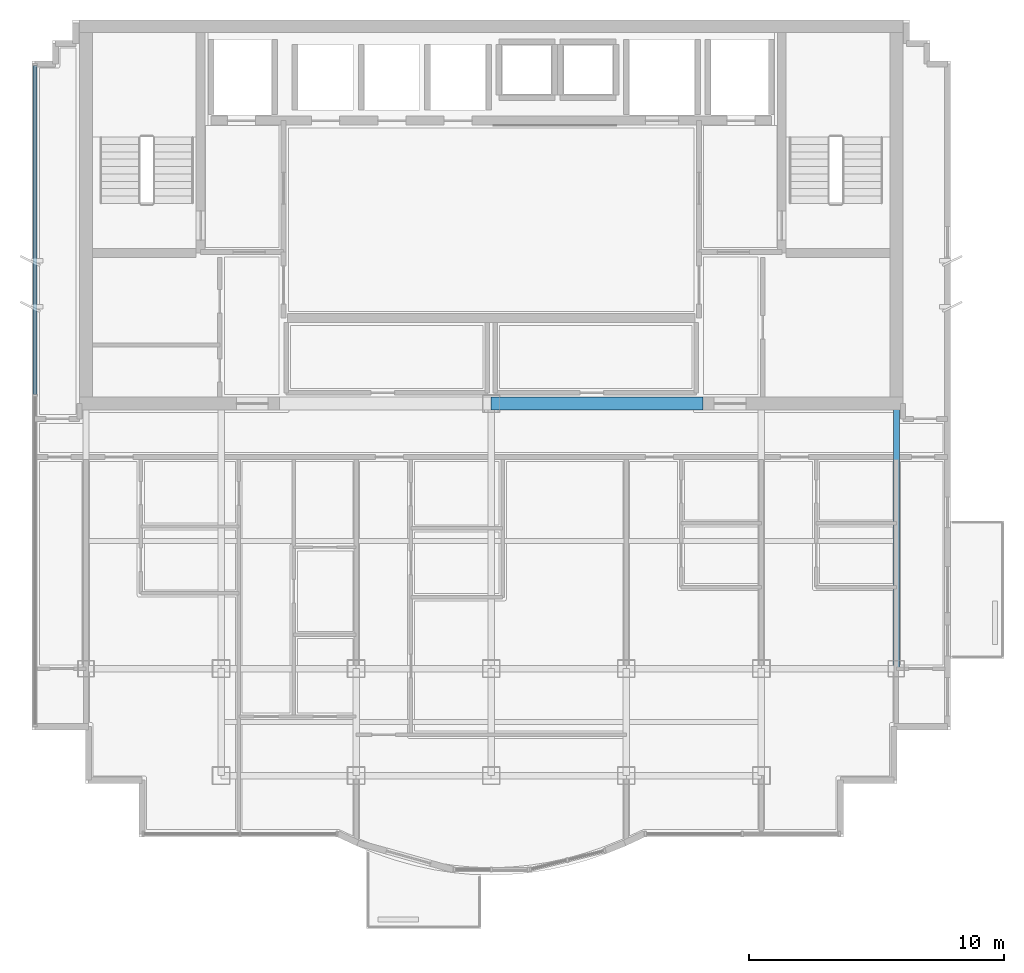
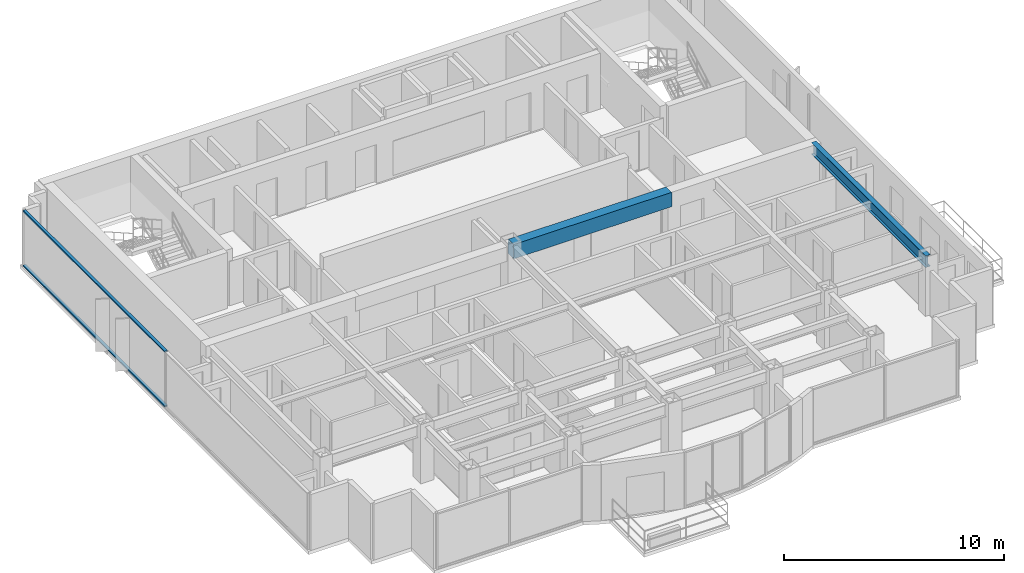
# One storey, part 2 of 9: 2 beams, 2 members, 1 element without a shape of its own.
"""IFC4 building model written with IfcOpenShell, lengths in metres."""

import ifcopenshell
import ifcopenshell.guid

model = None  # the IFC model being written
_history = None  # IfcOwnerHistory: only IFC2X3 demands one
_inside = {}  # id of a spatial element -> (the spatial element, [elements in it])
_under = {}  # id of a project, library or spatial element -> (it, [spatial elements below it])
_declared = {}  # id of a project -> (the project, [libraries it declares])
_typed = {}  # id of a type object -> (the type object, [elements of that type])
_made_of = {}  # id of a material, layer set ... -> (it, [elements and type objects made of it])


def new_model(schema):
    """Start an empty IFC model of exactly this schema.

    Asked for "IFC4X3", IfcOpenShell would pick the latest addendum, in which some entities
    have other attributes; the version numbers below select the first issue.
    IFC2X3 requires an IfcOwnerHistory on every rooted entity: one is made here for all.
    """
    global model, _history
    if schema == "IFC4X3":
        model = ifcopenshell.file(schema_version=(4, 3, 0, 0))
    else:
        model = ifcopenshell.file(schema=schema)
    _inside.clear()
    _under.clear()
    _declared.clear()
    _typed.clear()
    _made_of.clear()
    _history = None
    if model.schema == "IFC2X3":
        org = make("IfcOrganization", Name="unknown")
        user = make(
            "IfcPersonAndOrganization",
            ThePerson=make("IfcPerson", FamilyName="unknown"),
            TheOrganization=org,
        )
        app = make(
            "IfcApplication",
            ApplicationDeveloper=org,
            Version="unknown",
            ApplicationFullName="unknown",
            ApplicationIdentifier="unknown",
        )
        _history = make(
            "IfcOwnerHistory",
            OwningUser=user,
            OwningApplication=app,
            ChangeAction="ADDED",
            CreationDate=0,
        )
    return model


def make(cls, **values):
    """One entity of the class cls with the attributes given. An attribute that is None is left unset."""
    return model.create_entity(
        cls, **{name: value for name, value in values.items() if value is not None}
    )


def rooted(cls, **values):
    """An entity with a GlobalId (a new one), such as an element, a storey or a relation."""
    return make(cls, GlobalId=ifcopenshell.guid.new(), OwnerHistory=_history, **values)


def si_unit(unit_type, name, prefix=None):
    """IfcSIUnit, for example si_unit("LENGTHUNIT", "METRE", prefix="MILLI")."""
    return make("IfcSIUnit", UnitType=unit_type, Prefix=prefix, Name=name)


def assignment(units):
    """IfcUnitAssignment: the units of a project."""
    return None if units is None else make("IfcUnitAssignment", Units=units)


def point(xyz):
    """IfcCartesianPoint."""
    return None if xyz is None else make("IfcCartesianPoint", Coordinates=xyz)


def direction(xyz):
    """IfcDirection."""
    return None if xyz is None else make("IfcDirection", DirectionRatios=xyz)


def frame(location, z_axis=None, x_axis=None):
    """IfcAxis2Placement3D, a coordinate frame: its origin and axes. An axis left out is left unset."""
    return make(
        "IfcAxis2Placement3D",
        Location=point(location),
        Axis=direction(z_axis),
        RefDirection=direction(x_axis),
    )


def frame_2d(location, x_axis=None):
    """IfcAxis2Placement2D, a coordinate frame in the plane: its origin and x axis."""
    return make(
        "IfcAxis2Placement2D", Location=point(location), RefDirection=direction(x_axis)
    )


def origin():
    """The frame at (0, 0, 0) with its axes left unset."""
    return frame((0.0, 0.0, 0.0))


def origin_2d():
    """The frame at (0, 0) in the plane with its x axis left unset."""
    return frame_2d((0.0, 0.0))


def place(relative_to, where):
    """IfcLocalPlacement: puts the frame where relative to a parent placement (None: the world)."""
    return make(
        "IfcLocalPlacement", PlacementRelTo=relative_to, RelativePlacement=where
    )


def context(
    kind, dimensions, precision=None, world=None, true_north=None, identifier=None
):
    """IfcGeometricRepresentationContext, for example the 3D "Model" context."""
    return make(
        "IfcGeometricRepresentationContext",
        ContextIdentifier=identifier,
        ContextType=kind,
        CoordinateSpaceDimension=dimensions,
        Precision=precision,
        WorldCoordinateSystem=world,
        TrueNorth=true_north,
    )


def subcontext(parent, identifier, kind, view, scale=None):
    """IfcGeometricRepresentationSubContext, for example "Body" below "Model"."""
    return make(
        "IfcGeometricRepresentationSubContext",
        ContextIdentifier=identifier,
        ContextType=kind,
        ParentContext=parent,
        TargetScale=scale,
        TargetView=view,
    )


def project(units=None, contexts=None):
    """IfcProject with its units and contexts."""
    return rooted(
        "IfcProject",
        Name="project",
        RepresentationContexts=contexts,
        UnitsInContext=assignment(units),
    )


def spatial(cls, under=None, at=None, **own):
    """A site, building, storey or space (cls), placed at a placement, below another one or the project."""
    s = rooted(cls, ObjectPlacement=at, **own)
    if under is not None:
        _under.setdefault(under.id(), (under, []))[1].append(s)
    return s


def profile(cls, at=None, kind="AREA", **sizes):
    """A parametric profile (cls). Its sizes go by their IFC names, for example OverallWidth=200.0."""
    return make(cls, ProfileType=kind, Position=at, **sizes)


def rectangle(**sizes):
    """IfcRectangleProfileDef."""
    return profile("IfcRectangleProfileDef", **sizes)


def i_section(**sizes):
    """IfcIShapeProfileDef."""
    return profile("IfcIShapeProfileDef", **sizes)


def extrude(swept, where, along, depth):
    """IfcExtrudedAreaSolid: the profile swept, set in the frame where, extruded along a direction by depth."""
    return make(
        "IfcExtrudedAreaSolid",
        SweptArea=swept,
        Position=where,
        ExtrudedDirection=direction(along),
        Depth=depth,
    )


def shape(context_of_items, identifier, shape_type, items):
    """IfcShapeRepresentation: the items that make up one representation, for example the "Body"."""
    return make(
        "IfcShapeRepresentation",
        ContextOfItems=context_of_items,
        RepresentationIdentifier=identifier,
        RepresentationType=shape_type,
        Items=items,
    )


def source(mapping_origin, context_of_items, identifier, shape_type, items):
    """IfcRepresentationMap: a shape defined once, which mapped items show again and again."""
    return make(
        "IfcRepresentationMap",
        MappingOrigin=mapping_origin,
        MappedRepresentation=shape(context_of_items, identifier, shape_type, items),
    )


def transform(
    local_origin,
    x_axis=None,
    y_axis=None,
    z_axis=None,
    scale=None,
    scale2=None,
    scale3=None,
    uniform=True,
):
    """IfcCartesianTransformationOperator3D, or its non-uniform kind. x_axis, y_axis, z_axis: its Axis1, 2, 3."""
    if uniform:
        return make(
            "IfcCartesianTransformationOperator3D",
            Axis1=direction(x_axis),
            Axis2=direction(y_axis),
            LocalOrigin=point(local_origin),
            Scale=scale,
            Axis3=direction(z_axis),
        )
    return make(
        "IfcCartesianTransformationOperator3DnonUniform",
        Axis1=direction(x_axis),
        Axis2=direction(y_axis),
        LocalOrigin=point(local_origin),
        Scale=scale,
        Axis3=direction(z_axis),
        Scale2=scale2,
        Scale3=scale3,
    )


def mapped(mapping_source, mapping_target):
    """IfcMappedItem: shows the shape of a source again, moved by a transform."""
    return make(
        "IfcMappedItem", MappingSource=mapping_source, MappingTarget=mapping_target
    )


def material(Name=None, Category=None):
    """IfcMaterial."""
    return make("IfcMaterial", Name=Name, Category=Category)


def layer(
    of_material, thickness, ventilated=None, Name=None, Category=None, Priority=None
):
    """IfcMaterialLayer: one layer of a wall or slab, of a material (None: an air gap)."""
    return make(
        "IfcMaterialLayer",
        Material=of_material,
        LayerThickness=thickness,
        IsVentilated=ventilated,
        Name=Name,
        Category=Category,
        Priority=Priority,
    )


def layer_set(layers, Name=None):
    """IfcMaterialLayerSet."""
    return make("IfcMaterialLayerSet", MaterialLayers=layers, LayerSetName=Name)


def material_profile(
    of_material, cross_section, Name=None, Category=None, Priority=None
):
    """IfcMaterialProfile: a cross section and its material."""
    return make(
        "IfcMaterialProfile",
        Name=Name,
        Material=of_material,
        Profile=cross_section,
        Priority=Priority,
        Category=Category,
    )


def profile_set(profiles, Name=None, composite=None):
    """IfcMaterialProfileSet."""
    return make(
        "IfcMaterialProfileSet",
        Name=Name,
        MaterialProfiles=profiles,
        CompositeProfile=composite,
    )


def made_of(thing, what):
    """Note that an element or type object is made of a material, layer set ...; save() writes the relation."""
    if what is not None:
        _made_of.setdefault(what.id(), (what, []))[1].append(thing)
    return thing


def type_object(cls, material=None, **own):
    """A type object (cls), such as IfcWallType, which elements share."""
    return made_of(rooted(cls, **own), material)


def element(
    cls,
    number,
    at=None,
    inside=None,
    cuts=None,
    type_object=None,
    material=None,
    context=None,
    identifier="Body",
    shape_type=None,
    held_by="IfcProductDefinitionShape",
    body=None,
    shapes=None,
    **own,
):
    """One element of the class cls, such as IfcWall. Its Tag is "e" and its number.

    at: its placement. inside: the storey or other place that contains it. cuts: it is an
    opening in that element (IfcRelVoidsElement). A single representation is given by context,
    identifier, shape_type and body (its items); several are given by shapes. held_by: the class
    of the entity that holds the representations. save() writes the other relations.
    """
    e = rooted(cls, Tag="e%d" % number, ObjectPlacement=at, **own)
    if body is not None:
        shapes = [shape(context, identifier, shape_type, body)]
    if shapes is not None:
        e.Representation = make(held_by, Representations=shapes)
    if inside is not None:
        _inside.setdefault(inside.id(), (inside, []))[1].append(e)
    if cuts is not None:
        rooted(
            "IfcRelVoidsElement", RelatingBuildingElement=cuts, RelatedOpeningElement=e
        )
    if type_object is not None:
        _typed.setdefault(type_object.id(), (type_object, []))[1].append(e)
    return made_of(e, material)


def aggregate(whole, parts):
    """IfcRelAggregates: a whole, such as a stair, and the parts it consists of."""
    return rooted("IfcRelAggregates", RelatingObject=whole, RelatedObjects=parts)


def save(model, path):
    """Write the relations noted so far, then the file.

    IfcRelAggregates (storeys below a building ...), IfcRelContainedInSpatialStructure (elements
    in a storey), IfcRelDefinesByType, IfcRelAssociatesMaterial and IfcRelDeclares: one each for
    every whole, place, type object, material and project.
    """
    for whole, parts in _under.values():
        aggregate(whole, parts)
    for where, things in _inside.values():
        rooted(
            "IfcRelContainedInSpatialStructure",
            RelatedElements=things,
            RelatingStructure=where,
        )
    for kind, things in _typed.values():
        rooted("IfcRelDefinesByType", RelatedObjects=things, RelatingType=kind)
    for what, things in _made_of.values():
        rooted("IfcRelAssociatesMaterial", RelatedObjects=things, RelatingMaterial=what)
    for by, libraries in _declared.values():
        rooted("IfcRelDeclares", RelatingContext=by, RelatedDefinitions=libraries)
    model.write(path)


model = new_model("IFC4")

# Units and contexts
model_context = context("Model", 3, precision=1e-05, world=origin(), true_north=direction((0.0, 1.0)))
body_context = subcontext(model_context, "Body", "Model", "MODEL_VIEW")
ifc_project = project(units=[si_unit("LENGTHUNIT", "METRE"), si_unit("AREAUNIT", "SQUARE_METRE"), si_unit("VOLUMEUNIT", "CUBIC_METRE"), si_unit("PLANEANGLEUNIT", "RADIAN"), si_unit("MASSUNIT", "GRAM", prefix="KILO")], contexts=[model_context])

# Site, building, storey
site_placement = place(None, origin())
site = spatial("IfcSite", under=ifc_project, at=site_placement, CompositionType="ELEMENT")
building_placement = place(site_placement, origin())
building = spatial("IfcBuilding", under=site, at=building_placement, Name="Qianlan Lanfeng Residences", CompositionType="ELEMENT")
storey_placement = place(building_placement, frame((0.0, 0.0, 246.199951171875)))
storey = spatial("IfcBuildingStorey", under=building, at=storey_placement, Name="L68", CompositionType="ELEMENT", Elevation=246.199951171875)

# Beams
ifc_material_1 = material(Name="Steel SN490B", Category="steel")
ifc_material_profile_1 = material_profile(ifc_material_1, i_section(OverallWidth=0.25, OverallDepth=0.64990234375, WebThickness=0.012939453125, FlangeThickness=0.02197265625, at=origin_2d()), Name="H 650x250x13x22")
ifc_profile_set_1 = profile_set([ifc_material_profile_1], Name="Steel SN490B")
beam_type_1 = type_object("IfcBeamType", Name="G-650", PredefinedType="BEAM", material=ifc_profile_set_1)
beam_1_placement = place(storey_placement, frame((42.39990234375, 14.800048828125, 2.78515625), z_axis=(0.0, 1.0, 0.0), x_axis=(-1.0, 0.0, 0.0)))
element("IfcBeam", 1, at=beam_1_placement, inside=storey, type_object=beam_type_1, Name="Structural beam G-650", PredefinedType="BEAM", context=body_context, shape_type="SweptSolid", body=[
    extrude(i_section(OverallWidth=0.25, OverallDepth=0.64990234375, WebThickness=0.012939453125, FlangeThickness=0.02197265625, at=origin_2d()), origin(), (0.0, 0.0, 1.0), 10.39990234375),
])
ifc_material_2 = material(Name="Concrete C49", Category="concrete")
ifc_material_profile_2 = material_profile(ifc_material_2, rectangle(XDim=0.5, YDim=0.800048828125, at=origin_2d()), Name="RC 500x800")
ifc_profile_set_2 = profile_set([ifc_material_profile_2], Name="Concrete C49")
beam_type_2 = type_object("IfcBeamType", Name="LB-RC750", PredefinedType="BEAM", material=ifc_profile_set_2)
beam_2_placement = place(storey_placement, frame((26.5, 25.199951171875, 2.7099609375), z_axis=(1.0, 0.0, 0.0), x_axis=(0.0, 1.0, 0.0)))
element("IfcBeam", 2, at=beam_2_placement, inside=storey, type_object=beam_type_2, Name="L68 Core Coupling Beam E", PredefinedType="BEAM", context=body_context, shape_type="SweptSolid", body=[
    extrude(rectangle(XDim=0.5, YDim=0.800048828125, at=origin_2d()), origin(), (0.0, 0.0, 1.0), 8.300048828125),
])

# Curtain wall, members
ifc_material_3 = material(Name="Anodised Bronze Aluminium 6063-T6", Category="aluminium")
ifc_layer = layer(ifc_material_3, 0.219970703125)
ifc_layer_set = layer_set([ifc_layer], Name="Anodised Bronze Aluminium 6063-T6")
curtain_wall_type = type_object("IfcCurtainWallType", Name="CW-06", PredefinedType="NOTDEFINED", material=ifc_layer_set)
curtain_wall_placement = place(storey_placement, origin())
curtain_wall = element("IfcCurtainWall", 3, at=curtain_wall_placement, inside=storey, type_object=curtain_wall_type, Name="L68 Unitised Curtain Wall CWR-L68-05 (CW-06)", PredefinedType="NOTDEFINED")
ifc_material_profile_3 = material_profile(ifc_material_3, rectangle(XDim=0.074951171875, YDim=0.14990234375, at=origin_2d()), Name="ALU TRANSOM 75x150")
ifc_profile_set_3 = profile_set([ifc_material_profile_3], Name="Anodised Bronze Aluminium 6063-T6")
member_type = type_object("IfcMemberType", Name="CWT-150", PredefinedType="USERDEFINED", material=ifc_profile_set_3)
shared_shape = source(origin(), body_context, "Body", "SweptSolid", [
    extrude(rectangle(XDim=0.074951171875, YDim=0.14990234375, at=origin_2d()), origin(), (0.0, 0.0, 1.0), 12.892578125),
])
member_1_placement = place(storey_placement, frame((8.60009765625, 38.455078125, 0.03759765625), z_axis=(0.0, -1.0, 0.0), x_axis=(0.0, 0.0, 1.0)))
member_1 = element("IfcMember", 4, at=member_1_placement, type_object=member_type, Name="CWR-L68-05 Transom 1-BOT", ObjectType="TRANSOM", PredefinedType="USERDEFINED", context=body_context, shape_type="MappedRepresentation", body=[
    mapped(shared_shape, transform((0.0, 0.0, 0.0), scale=1.0)),
])
member_2_placement = place(storey_placement, frame((8.60009765625, 38.455078125, 3.072509765625), z_axis=(0.0, -1.0, 0.0), x_axis=(0.0, 0.0, 1.0)))
member_2 = element("IfcMember", 5, at=member_2_placement, type_object=member_type, Name="CWR-L68-05 Transom 1-TOP", ObjectType="TRANSOM", PredefinedType="USERDEFINED", context=body_context, shape_type="MappedRepresentation", body=[
    mapped(shared_shape, transform((0.0, 0.0, 0.0), scale=1.0)),
])
aggregate(curtain_wall, [member_1, member_2])

save(model, "model.ifc")
